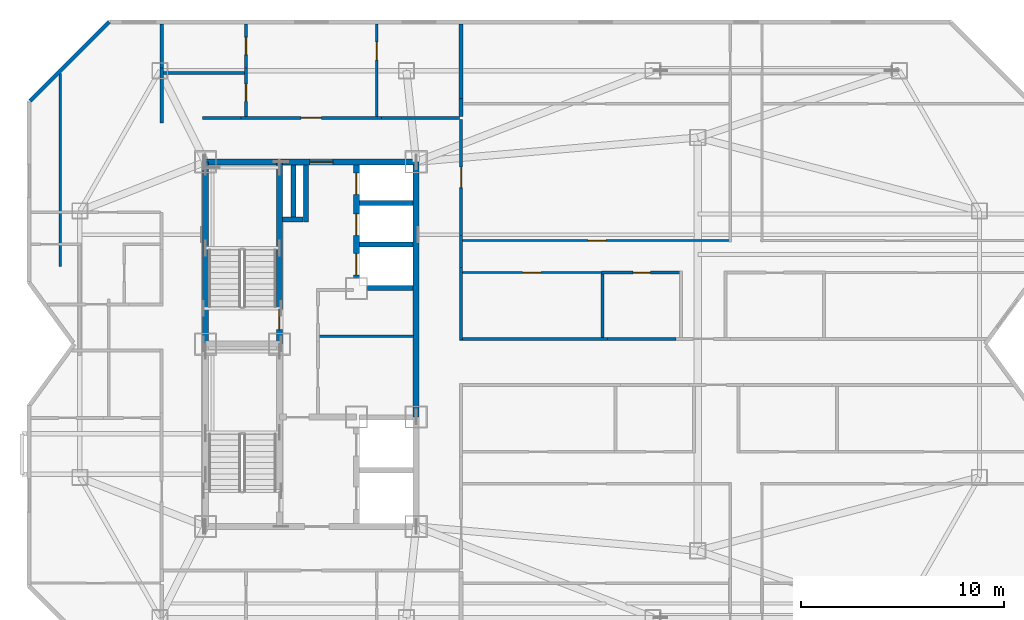
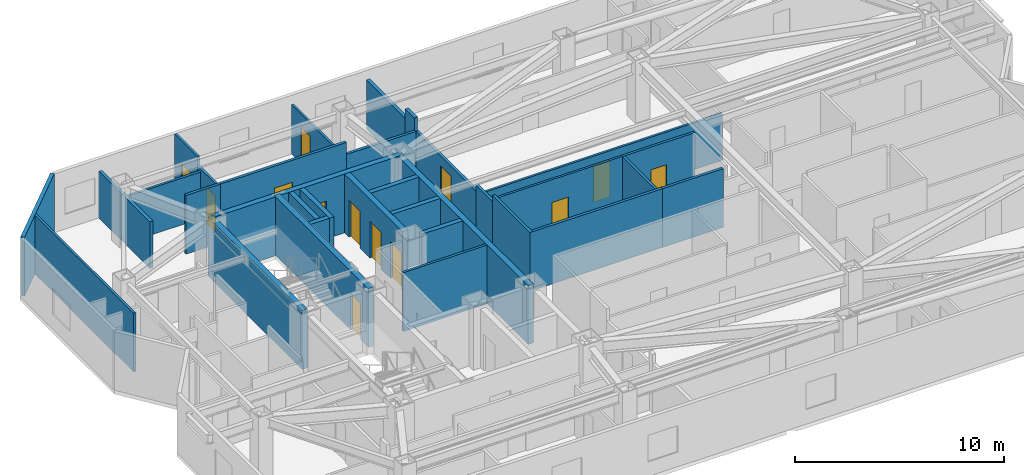
# One storey, part 6 of 9: 34 walls, 13 doors, 13 openings.
"""IFC4 building model written with IfcOpenShell, lengths in metres."""

from ifc_helpers import new_model, si_unit, direction, frame, frame_2d, origin, place, context, subcontext, project, spatial, rectangle, extrude, material, layer, layer_set, type_object, element, fill, save


model = new_model("IFC4")

# Units and contexts
model_context = context("Model", 3, precision=1e-05, world=origin(), true_north=direction((0.0, 1.0)))
body_context = subcontext(model_context, "Body", "Model", "MODEL_VIEW")
ifc_project = project(units=[si_unit("LENGTHUNIT", "METRE"), si_unit("AREAUNIT", "SQUARE_METRE"), si_unit("VOLUMEUNIT", "CUBIC_METRE"), si_unit("PLANEANGLEUNIT", "RADIAN"), si_unit("MASSUNIT", "GRAM", prefix="KILO")], contexts=[model_context])

# Site, building, storey
site_placement = place(None, origin())
site = spatial("IfcSite", under=ifc_project, at=site_placement, CompositionType="ELEMENT")
building_placement = place(site_placement, origin())
building = spatial("IfcBuilding", under=site, at=building_placement, Name="Khamvora Tower", CompositionType="ELEMENT")
storey_placement = place(building_placement, frame((0.0, 0.0, 224.5)))
storey = spatial("IfcBuildingStorey", under=building, at=storey_placement, Name="L57", CompositionType="ELEMENT", Elevation=224.5)

# Wall
ifc_material_1 = material(Name="Concrete C50/60", Category="concrete")
ifc_layer_1 = layer(ifc_material_1, 0.300048828125)
ifc_layer_set_1 = layer_set([ifc_layer_1], Name="Concrete C50/60")
wall_type_1 = type_object("IfcWallType", Name="WAL-CORE-300", PredefinedType="SHEAR", material=ifc_layer_set_1)
wall_1_placement = place(storey_placement, frame((29.0, 28.0, 0.0), z_axis=(0.0, 0.0, 1.0), x_axis=(0.0, 1.0, 0.0)))
element("IfcWall", 1, at=wall_1_placement, inside=storey, type_object=wall_type_1, Name="L57 central core west north wall", PredefinedType="SHEAR", context=body_context, shape_type="SweptSolid", body=[
    extrude(rectangle(XDim=9.0, YDim=0.300048828125, at=frame_2d((4.5, 0.0))), origin(), (0.0, 0.0, 1.0), 3.429931640625),
])

# Wall, opening, door
wall_2_placement = place(storey_placement, frame((29.0, 37.0, 0.0), z_axis=(0.0, 0.0, 1.0), x_axis=(1.0, 0.0, 0.0)))
wall_2 = element("IfcWall", 2, at=wall_2_placement, inside=storey, type_object=wall_type_1, Name="L57 central core north wall", PredefinedType="SHEAR", context=body_context, shape_type="SweptSolid", body=[
    extrude(rectangle(XDim=10.39990234375, YDim=0.300048828125, at=frame_2d((5.199951171875, 0.0))), origin(), (0.0, 0.0, 1.0), 3.429931640625),
])
opening_1_placement = place(wall_2_placement, frame((5.139892578125, 0.0, 0.0)))
opening_1 = element("IfcOpeningElement", 3, at=opening_1_placement, cuts=wall_2, Name="Opening D-SC1", PredefinedType="OPENING", context=body_context, shape_type="SweptSolid", body=[
    extrude(rectangle(XDim=1.14990234375, YDim=2.199951171875, at=frame_2d((0.574951171875, 1.10009765625))), frame((0.0, 0.159912109375, 0.0), z_axis=(0.0, -1.0, 0.0), x_axis=(1.0, 0.0, 0.0)), (0.0, 0.0, 1.0), 0.320068359375),
])
ifc_material_2 = material(Name="Powder-Coated Steel and Hardwood Leaf", Category="steel")
door_type_1 = type_object("IfcDoorType", Name="DOR-SCHL-1150", OperationType="NOTDEFINED", PredefinedType="DOOR", material=ifc_material_2)
door_1_placement = place(opening_1_placement, origin())
door_1 = element("IfcDoor", 4, at=door_1_placement, inside=storey, type_object=door_type_1, Name="L57 north core lobby to corridor fire door", OperationType="SINGLE_SWING_LEFT", OverallHeight=2.199951171875, OverallWidth=1.14990234375, PredefinedType="DOOR", context=body_context, shape_type="SweptSolid", body=[
    extrude(rectangle(XDim=1.14990234375, YDim=2.199951171875, at=frame_2d((0.574951171875, 1.10009765625))), frame((0.0, 0.02490234375, 0.0), z_axis=(0.0, -1.0, 0.0), x_axis=(1.0, 0.0, 0.0)), (0.0, 0.0, 1.0), 0.050048828125),
])
fill(opening_1, door_1)

# Wall
wall_3_placement = place(storey_placement, frame((39.39990234375, 24.39990234375, 0.0), z_axis=(0.0, 0.0, 1.0), x_axis=(0.0, 1.0, 0.0)))
element("IfcWall", 5, at=wall_3_placement, inside=storey, type_object=wall_type_1, Name="L57 central core east north wall", PredefinedType="SHEAR", context=body_context, shape_type="SweptSolid", body=[
    extrude(rectangle(XDim=12.60009765625, YDim=0.300048828125, at=frame_2d((6.300048828125, 0.0))), origin(), (0.0, 0.0, 1.0), 3.429931640625),
])

# Wall, opening, door
wall_4_placement = place(storey_placement, frame((32.64990234375, 28.0, 0.0), z_axis=(0.0, 0.0, 1.0), x_axis=(0.0, 1.0, 0.0)))
wall_4 = element("IfcWall", 6, at=wall_4_placement, inside=storey, type_object=wall_type_1, Name="L57 central core stair north spine wall", PredefinedType="SHEAR", context=body_context, shape_type="SweptSolid", body=[
    extrude(rectangle(XDim=9.0, YDim=0.300048828125, at=frame_2d((4.5, 0.0))), origin(), (0.0, 0.0, 1.0), 3.429931640625),
])
opening_2_placement = place(wall_4_placement, frame((0.719970703125, 0.0, 0.0)))
opening_2 = element("IfcOpeningElement", 7, at=opening_2_placement, cuts=wall_4, Name="Opening D-ST1", PredefinedType="OPENING", context=body_context, shape_type="SweptSolid", body=[
    extrude(rectangle(XDim=1.0, YDim=2.14990234375, at=frame_2d((0.5, 1.074951171875))), frame((0.0, 0.159912109375, 0.0), z_axis=(0.0, -1.0, 0.0), x_axis=(1.0, 0.0, 0.0)), (0.0, 0.0, 1.0), 0.320068359375),
])
door_type_2 = type_object("IfcDoorType", Name="DOR-STAIR-1000", OperationType="NOTDEFINED", PredefinedType="DOOR", material=ifc_material_2)
door_2_placement = place(opening_2_placement, origin())
door_2 = element("IfcDoor", 8, at=door_2_placement, inside=storey, type_object=door_type_2, Name="L57 exit stair ST-02 fire door", OperationType="SINGLE_SWING_RIGHT", OverallHeight=2.14990234375, OverallWidth=1.0, PredefinedType="DOOR", context=body_context, shape_type="SweptSolid", body=[
    extrude(rectangle(XDim=1.0, YDim=2.14990234375, at=frame_2d((0.5, 1.074951171875))), frame((0.0, 0.02490234375, 0.0), z_axis=(0.0, -1.0, 0.0), x_axis=(1.0, 0.0, 0.0)), (0.0, 0.0, 1.0), 0.050048828125),
])
fill(opening_2, door_2)

# Wall, openings, doors
wall_5_placement = place(storey_placement, frame((36.449951171875, 31.300048828125, 0.0), z_axis=(0.0, 0.0, 1.0), x_axis=(0.0, 1.0, 0.0)))
wall_5 = element("IfcWall", 9, at=wall_5_placement, inside=storey, type_object=wall_type_1, Name="L57 central core lift bank central wall", PredefinedType="SHEAR", context=body_context, shape_type="SweptSolid", body=[
    extrude(rectangle(XDim=5.5458984375, YDim=0.300048828125, at=frame_2d((2.77294921875, 0.0))), origin(), (0.0, 0.0, 1.0), 3.429931640625),
])
opening_3_placement = place(wall_5_placement, frame((0.1201171875, 0.0, 0.0)))
opening_3 = element("IfcOpeningElement", 10, at=opening_3_placement, cuts=wall_5, Name="Opening LD-PL", PredefinedType="OPENING", context=body_context, shape_type="SweptSolid", body=[
    extrude(rectangle(XDim=1.050048828125, YDim=2.14990234375, at=frame_2d((0.52490234375, 1.074951171875))), frame((0.0, 0.159912109375, 0.0), z_axis=(0.0, -1.0, 0.0), x_axis=(1.0, 0.0, 0.0)), (0.0, 0.0, 1.0), 0.320068359375),
])
opening_4_placement = place(wall_5_placement, frame((2.074951171875, 0.0, 0.0)))
opening_4 = element("IfcOpeningElement", 11, at=opening_4_placement, cuts=wall_5, Name="Opening LD-PL", PredefinedType="OPENING", context=body_context, shape_type="SweptSolid", body=[
    extrude(rectangle(XDim=1.050048828125, YDim=2.14990234375, at=frame_2d((0.52490234375, 1.074951171875))), frame((0.0, 0.159912109375, 0.0), z_axis=(0.0, -1.0, 0.0), x_axis=(1.0, 0.0, 0.0)), (0.0, 0.0, 1.0), 0.320068359375),
])
opening_5_placement = place(wall_5_placement, frame((4.094970703125, 0.0, 0.0)))
opening_5 = element("IfcOpeningElement", 12, at=opening_5_placement, cuts=wall_5, Name="Opening LD-PL", PredefinedType="OPENING", context=body_context, shape_type="SweptSolid", body=[
    extrude(rectangle(XDim=1.050048828125, YDim=2.14990234375, at=frame_2d((0.52490234375, 1.074951171875))), frame((0.0, 0.159912109375, 0.0), z_axis=(0.0, -1.0, 0.0), x_axis=(1.0, 0.0, 0.0)), (0.0, 0.0, 1.0), 0.320068359375),
])
door_type_3 = type_object("IfcDoorType", Name="DOR-LIFT-1050", OperationType="SLIDING_TO_LEFT", PredefinedType="DOOR", material=ifc_material_2)
door_3_placement = place(opening_3_placement, origin())
door_3 = element("IfcDoor", 13, at=door_3_placement, inside=storey, type_object=door_type_3, Name="L57 lift landing sliding door PH-01", OperationType="SLIDING_TO_LEFT", OverallHeight=2.14990234375, OverallWidth=1.050048828125, PredefinedType="DOOR", context=body_context, shape_type="SweptSolid", body=[
    extrude(rectangle(XDim=1.050048828125, YDim=2.14990234375, at=frame_2d((0.52490234375, 1.074951171875))), frame((0.0, 0.02490234375, 0.0), z_axis=(0.0, -1.0, 0.0), x_axis=(1.0, 0.0, 0.0)), (0.0, 0.0, 1.0), 0.050048828125),
])
fill(opening_3, door_3)
door_4_placement = place(opening_4_placement, origin())
door_4 = element("IfcDoor", 14, at=door_4_placement, inside=storey, type_object=door_type_3, Name="L57 lift landing sliding door PH-02", OperationType="SLIDING_TO_LEFT", OverallHeight=2.14990234375, OverallWidth=1.050048828125, PredefinedType="DOOR", context=body_context, shape_type="SweptSolid", body=[
    extrude(rectangle(XDim=1.050048828125, YDim=2.14990234375, at=frame_2d((0.52490234375, 1.074951171875))), frame((0.0, 0.02490234375, 0.0), z_axis=(0.0, -1.0, 0.0), x_axis=(1.0, 0.0, 0.0)), (0.0, 0.0, 1.0), 0.050048828125),
])
fill(opening_4, door_4)
door_5_placement = place(opening_5_placement, origin())
door_5 = element("IfcDoor", 15, at=door_5_placement, inside=storey, type_object=door_type_3, Name="L57 lift landing sliding door PH-03", OperationType="SLIDING_TO_LEFT", OverallHeight=2.14990234375, OverallWidth=1.050048828125, PredefinedType="DOOR", context=body_context, shape_type="SweptSolid", body=[
    extrude(rectangle(XDim=1.050048828125, YDim=2.14990234375, at=frame_2d((0.52490234375, 1.074951171875))), frame((0.0, 0.02490234375, 0.0), z_axis=(0.0, -1.0, 0.0), x_axis=(1.0, 0.0, 0.0)), (0.0, 0.0, 1.0), 0.050048828125),
])
fill(opening_5, door_5)

# Wall, opening, door
ifc_material_3 = material(Name="Fire-Rated Drywall and Steel Stud", Category="steel")
ifc_layer_2 = layer(ifc_material_3, 0.14990234375)
ifc_layer_set_2 = layer_set([ifc_layer_2], Name="Fire-Rated Drywall and Steel Stud")
wall_type_2 = type_object("IfcWallType", Name="WAL-CORR-150", PredefinedType="STANDARD", material=ifc_layer_set_2)
wall_6_placement = place(storey_placement, frame((30.7509765625, 39.1650390625, 0.0), z_axis=(0.0, 0.0, 1.0), x_axis=(1.0, 0.0, 0.0)))
wall_6 = element("IfcWall", 16, at=wall_6_placement, inside=storey, type_object=wall_type_2, Name="L57 interior partition wall 015", PredefinedType="STANDARD", context=body_context, shape_type="SweptSolid", body=[
    extrude(rectangle(XDim=6.947998046875, YDim=0.14990234375, at=frame_2d((3.47412109375, 0.0))), origin(), (0.0, 0.0, 1.0), 3.429931640625),
])
opening_6_placement = place(wall_6_placement, frame((2.97412109375, 0.0, 0.0)))
opening_6 = element("IfcOpeningElement", 17, at=opening_6_placement, cuts=wall_6, Name="Opening D-U1", PredefinedType="OPENING", context=body_context, shape_type="SweptSolid", body=[
    extrude(rectangle(XDim=1.0, YDim=2.14990234375, at=frame_2d((0.5, 1.074951171875))), frame((0.0, 0.0849609375, 0.0), z_axis=(0.0, -1.0, 0.0), x_axis=(1.0, 0.0, 0.0)), (0.0, 0.0, 1.0), 0.169921875),
])
door_type_4 = type_object("IfcDoorType", Name="DOR-UNIT-1000", OperationType="NOTDEFINED", PredefinedType="DOOR", material=ifc_material_2)
door_6_placement = place(opening_6_placement, origin())
door_6 = element("IfcDoor", 18, at=door_6_placement, inside=storey, type_object=door_type_4, Name="L57 interior door COR-57NAH", OperationType="SINGLE_SWING_RIGHT", OverallHeight=2.14990234375, OverallWidth=1.0, PredefinedType="DOOR", context=body_context, shape_type="SweptSolid", body=[
    extrude(rectangle(XDim=1.0, YDim=2.14990234375, at=frame_2d((0.5, 1.074951171875))), frame((0.0, 0.02490234375, 0.0), z_axis=(0.0, -1.0, 0.0), x_axis=(1.0, 0.0, 0.0)), (0.0, 0.0, 1.0), 0.050048828125),
])
fill(opening_6, door_6)

# Walls
wall_7_placement = place(storey_placement, frame((28.85009765625, 39.1650390625, 0.0), z_axis=(0.0, 0.0, 1.0), x_axis=(1.0, 0.0, 0.0)))
element("IfcWall", 19, at=wall_7_placement, inside=storey, type_object=wall_type_2, Name="L57 interior partition wall 016", PredefinedType="STANDARD", context=body_context, shape_type="SweptSolid", body=[
    extrude(rectangle(XDim=1.90087890625, YDim=0.14990234375, at=frame_2d((0.950439453125, 0.0))), origin(), (0.0, 0.0, 1.0), 3.429931640625),
])
wall_8_placement = place(storey_placement, frame((37.698974609375, 39.1650390625, 0.0), z_axis=(0.0, 0.0, 1.0), x_axis=(1.0, 0.0, 0.0)))
element("IfcWall", 20, at=wall_8_placement, inside=storey, type_object=wall_type_2, Name="L57 interior partition wall 017", PredefinedType="STANDARD", context=body_context, shape_type="SweptSolid", body=[
    extrude(rectangle(XDim=3.85107421875, YDim=0.14990234375, at=frame_2d((1.925537109375, 0.0))), origin(), (0.0, 0.0, 1.0), 2.72509765625),
])
wall_9_placement = place(storey_placement, frame((41.614990234375, 31.784912109375, 0.0), z_axis=(0.0, 0.0, 1.0), x_axis=(0.0, -1.0, 0.0)))
element("IfcWall", 21, at=wall_9_placement, inside=storey, type_object=wall_type_2, Name="L57 interior partition wall 026", PredefinedType="STANDARD", context=body_context, shape_type="SweptSolid", body=[
    extrude(rectangle(XDim=3.5849609375, YDim=0.14990234375, at=frame_2d((1.79248046875, 0.0))), origin(), (0.0, 0.0, 1.0), 3.429931640625),
])
wall_10_placement = place(storey_placement, frame((41.550048828125, 28.264892578125, 0.0), z_axis=(0.0, 0.0, 1.0), x_axis=(1.0, 0.0, 0.0)))
element("IfcWall", 22, at=wall_10_placement, inside=storey, type_object=wall_type_2, Name="L57 interior partition wall 027", PredefinedType="STANDARD", context=body_context, shape_type="SweptSolid", body=[
    extrude(rectangle(XDim=7.300048828125, YDim=0.14990234375, at=frame_2d((3.64990234375, 0.0))), origin(), (0.0, 0.0, 1.0), 3.429931640625),
])
wall_11_placement = place(storey_placement, frame((41.614990234375, 33.364990234375, 0.0), z_axis=(0.0, 0.0, 1.0), x_axis=(0.0, -1.0, 0.0)))
element("IfcWall", 23, at=wall_11_placement, inside=storey, type_object=wall_type_2, Name="L57 interior partition wall 029", PredefinedType="STANDARD", context=body_context, shape_type="SweptSolid", body=[
    extrude(rectangle(XDim=1.580078125, YDim=0.14990234375, at=frame_2d((0.7900390625, 0.0))), origin(), (0.0, 0.0, 1.0), 3.06494140625),
])
wall_12_placement = place(storey_placement, frame((48.85009765625, 28.264892578125, 0.0), z_axis=(0.0, 0.0, 1.0), x_axis=(1.0, 0.0, 0.0)))
element("IfcWall", 24, at=wall_12_placement, inside=storey, type_object=wall_type_2, Name="L57 interior partition wall 031", PredefinedType="STANDARD", context=body_context, shape_type="SweptSolid", body=[
    extrude(rectangle(XDim=3.366943359375, YDim=0.14990234375, at=frame_2d((1.68359375, 0.0))), origin(), (0.0, 0.0, 1.0), 3.429931640625),
])

# Wall, opening, door
wall_13_placement = place(storey_placement, frame((41.614990234375, 39.10009765625, 0.0), z_axis=(0.0, 0.0, 1.0), x_axis=(0.0, -1.0, 0.0)))
wall_13 = element("IfcWall", 25, at=wall_13_placement, inside=storey, type_object=wall_type_2, Name="L57 interior partition wall 033", PredefinedType="STANDARD", context=body_context, shape_type="SweptSolid", body=[
    extrude(rectangle(XDim=5.735107421875, YDim=0.14990234375, at=frame_2d((2.86767578125, 0.0))), origin(), (0.0, 0.0, 1.0), 2.72509765625),
])
opening_7_placement = place(wall_13_placement, frame((2.367919921875, 0.0, 0.0)))
opening_7 = element("IfcOpeningElement", 26, at=opening_7_placement, cuts=wall_13, Name="Opening D-U1", PredefinedType="OPENING", context=body_context, shape_type="SweptSolid", body=[
    extrude(rectangle(XDim=1.0, YDim=2.14990234375, at=frame_2d((0.5, 1.074951171875))), frame((0.0, 0.0849609375, 0.0), z_axis=(0.0, -1.0, 0.0), x_axis=(1.0, 0.0, 0.0)), (0.0, 0.0, 1.0), 0.169921875),
])
door_7_placement = place(opening_7_placement, origin())
door_7 = element("IfcDoor", 27, at=door_7_placement, inside=storey, type_object=door_type_4, Name="L57 interior door COR-57EBR1", OperationType="SINGLE_SWING_RIGHT", OverallHeight=2.14990234375, OverallWidth=1.0, PredefinedType="DOOR", context=body_context, shape_type="SweptSolid", body=[
    extrude(rectangle(XDim=1.0, YDim=2.14990234375, at=frame_2d((0.5, 1.074951171875))), frame((0.0, 0.02490234375, 0.0), z_axis=(0.0, -1.0, 0.0), x_axis=(1.0, 0.0, 0.0)), (0.0, 0.0, 1.0), 0.050048828125),
])
fill(opening_7, door_7)

# Walls
ifc_material_4 = material(Name="Acoustic Double-Stud Fire Wall", Category="gypsum")
ifc_layer_3 = layer(ifc_material_4, 0.179931640625)
ifc_layer_set_3 = layer_set([ifc_layer_3], Name="Acoustic Double-Stud Fire Wall")
wall_type_3 = type_object("IfcWallType", Name="WAL-CORR-180", PredefinedType="STANDARD", material=ifc_layer_set_3)
wall_14_placement = place(storey_placement, frame((26.8349609375, 41.62890625, 0.0), z_axis=(0.0, 0.0, 1.0), x_axis=(0.0, -1.0, 0.0)))
element("IfcWall", 28, at=wall_14_placement, inside=storey, type_object=wall_type_3, Name="L57 interior partition wall 047", PredefinedType="STANDARD", context=body_context, shape_type="SweptSolid", body=[
    extrude(rectangle(XDim=2.712890625, YDim=0.179931640625, at=frame_2d((1.3564453125, 0.0))), origin(), (0.0, 0.0, 1.0), 2.72509765625),
])
wall_15_placement = place(storey_placement, frame((26.8349609375, 43.80810546875, 0.0), z_axis=(0.0, 0.0, 1.0), x_axis=(0.0, -1.0, 0.0)))
element("IfcWall", 29, at=wall_15_placement, inside=storey, type_object=wall_type_3, Name="L57 interior partition wall 048", PredefinedType="STANDARD", context=body_context, shape_type="SweptSolid", body=[
    extrude(rectangle(XDim=2.17919921875, YDim=0.179931640625, at=frame_2d((1.089599609375, 0.0))), origin(), (0.0, 0.0, 1.0), 2.72509765625),
])
wall_16_placement = place(storey_placement, frame((41.614990234375, 40.113037109375, 0.0), z_axis=(0.0, 0.0, 1.0), x_axis=(0.0, -1.0, 0.0)))
element("IfcWall", 30, at=wall_16_placement, inside=storey, type_object=wall_type_3, Name="L57 interior partition wall 059", PredefinedType="STANDARD", context=body_context, shape_type="SweptSolid", body=[
    extrude(rectangle(XDim=0.883056640625, YDim=0.179931640625, at=frame_2d((0.44140625, 0.0))), origin(), (0.0, 0.0, 1.0), 3.429931640625),
])
wall_17_placement = place(storey_placement, frame((41.614990234375, 43.80810546875, 0.0), z_axis=(0.0, 0.0, 1.0), x_axis=(0.0, -1.0, 0.0)))
element("IfcWall", 31, at=wall_17_placement, inside=storey, type_object=wall_type_3, Name="L57 interior partition wall 060", PredefinedType="STANDARD", context=body_context, shape_type="SweptSolid", body=[
    extrude(rectangle(XDim=3.695068359375, YDim=0.179931640625, at=frame_2d((1.84765625, 0.0))), origin(), (0.0, 0.0, 1.0), 2.886962890625),
])
ifc_material_5 = material(Name="Precast concrete C40/50", Category="concrete")
ifc_layer_4 = layer(ifc_material_5, 0.199951171875)
ifc_layer_set_4 = layer_set([ifc_layer_4], Name="Precast concrete C40/50")
wall_type_4 = type_object("IfcWallType", Name="WAL-EXT-200", PredefinedType="STANDARD", material=ifc_layer_set_4)
wall_18_placement = place(storey_placement, frame((20.343994140625, 40.0029296875, 0.0), z_axis=(0.0, 0.0, 1.0), x_axis=(0.707106781187, 0.707106781187, 0.0)))
element("IfcWall", 32, at=wall_18_placement, inside=storey, type_object=wall_type_4, Name="L57 exterior facade wall 06.1", PredefinedType="STANDARD", context=body_context, shape_type="SweptSolid", body=[
    extrude(rectangle(XDim=5.51123046875, YDim=0.199951171875, at=frame_2d((2.755615234375, 0.0))), origin(), (0.0, 0.0, 1.0), 3.429931640625),
])
ifc_material_6 = material(Name="Gypsum Plasterboard Partition", Category="gypsum")
ifc_layer_5 = layer(ifc_material_6, 0.1201171875)
ifc_layer_set_5 = layer_set([ifc_layer_5], Name="Gypsum Plasterboard Partition")
wall_type_5 = type_object("IfcWallType", Name="WAL-PART-120", PredefinedType="PARTITIONING", material=ifc_layer_set_5)
wall_19_placement = place(storey_placement, frame((21.824951171875, 41.368896484375, 0.0), z_axis=(0.0, 0.0, 1.0), x_axis=(0.0, -1.0, 0.0)))
element("IfcWall", 33, at=wall_19_placement, inside=storey, type_object=wall_type_5, Name="L57 interior partition wall 045", PredefinedType="PARTITIONING", context=body_context, shape_type="SweptSolid", body=[
    extrude(rectangle(XDim=9.52392578125, YDim=0.1201171875, at=frame_2d((4.761962890625, 0.0))), origin(), (0.0, 0.0, 1.0), 3.429931640625),
])

# Wall, opening, door
wall_20_placement = place(storey_placement, frame((37.449951171875, 43.80810546875, 0.0), z_axis=(0.0, 0.0, 1.0), x_axis=(0.0, -1.0, 0.0)))
wall_20 = element("IfcWall", 34, at=wall_20_placement, inside=storey, type_object=wall_type_5, Name="L57 interior partition wall 057", PredefinedType="PARTITIONING", context=body_context, shape_type="SweptSolid", body=[
    extrude(rectangle(XDim=4.576171875, YDim=0.1201171875, at=frame_2d((2.2880859375, 0.0))), origin(), (0.0, 0.0, 1.0), 2.886962890625),
])
opening_8_placement = place(wall_20_placement, frame((0.884033203125, 0.0, 0.0)))
opening_8 = element("IfcOpeningElement", 35, at=opening_8_placement, cuts=wall_20, Name="Opening D-RM1", PredefinedType="OPENING", context=body_context, shape_type="SweptSolid", body=[
    extrude(rectangle(XDim=0.89990234375, YDim=2.10009765625, at=frame_2d((0.449951171875, 1.050048828125))), frame((0.0, 0.070068359375, 0.0), z_axis=(0.0, -1.0, 0.0), x_axis=(1.0, 0.0, 0.0)), (0.0, 0.0, 1.0), 0.14013671875),
])
door_type_5 = type_object("IfcDoorType", Name="DOR-ROOM-900", OperationType="NOTDEFINED", PredefinedType="DOOR", material=ifc_material_2)
door_8_placement = place(opening_8_placement, origin())
door_8 = element("IfcDoor", 36, at=door_8_placement, inside=storey, type_object=door_type_5, Name="L57 interior door 57NAH-57NAR1", OperationType="SINGLE_SWING_RIGHT", OverallHeight=2.10009765625, OverallWidth=0.89990234375, PredefinedType="DOOR", context=body_context, shape_type="SweptSolid", body=[
    extrude(rectangle(XDim=0.89990234375, YDim=2.10009765625, at=frame_2d((0.449951171875, 1.050048828125))), frame((0.0, 0.02490234375, 0.0), z_axis=(0.0, -1.0, 0.0), x_axis=(1.0, 0.0, 0.0)), (0.0, 0.0, 1.0), 0.050048828125),
])
fill(opening_8, door_8)

wall_21_placement = place(storey_placement, frame((41.681884765625, 31.535888671875, 0.0), z_axis=(0.0, 0.0, 1.0), x_axis=(1.0, 0.0, 0.0)))
wall_21 = element("IfcWall", 37, at=wall_21_placement, inside=storey, type_object=wall_type_5, Name="L57 interior partition wall 077", PredefinedType="PARTITIONING", context=body_context, shape_type="SweptSolid", body=[
    extrude(rectangle(XDim=6.85400390625, YDim=0.1201171875, at=frame_2d((3.427001953125, 0.0))), origin(), (0.0, 0.0, 1.0), 3.429931640625),
])
opening_9_placement = place(wall_21_placement, frame((2.97705078125, 0.0, 0.0)))
opening_9 = element("IfcOpeningElement", 38, at=opening_9_placement, cuts=wall_21, Name="Opening D-RM1", PredefinedType="OPENING", context=body_context, shape_type="SweptSolid", body=[
    extrude(rectangle(XDim=0.89990234375, YDim=2.10009765625, at=frame_2d((0.449951171875, 1.050048828125))), frame((0.0, 0.070068359375, 0.0), z_axis=(0.0, -1.0, 0.0), x_axis=(1.0, 0.0, 0.0)), (0.0, 0.0, 1.0), 0.14013671875),
])
door_9_placement = place(opening_9_placement, origin())
door_9 = element("IfcDoor", 39, at=door_9_placement, inside=storey, type_object=door_type_5, Name="L57 interior door 57EBW1-57EBH", OperationType="SINGLE_SWING_LEFT", OverallHeight=2.10009765625, OverallWidth=0.89990234375, PredefinedType="DOOR", context=body_context, shape_type="SweptSolid", body=[
    extrude(rectangle(XDim=0.89990234375, YDim=2.10009765625, at=frame_2d((0.449951171875, 1.050048828125))), frame((0.0, 0.02490234375, 0.0), z_axis=(0.0, -1.0, 0.0), x_axis=(1.0, 0.0, 0.0)), (0.0, 0.0, 1.0), 0.050048828125),
])
fill(opening_9, door_9)

wall_22_placement = place(storey_placement, frame((41.681884765625, 33.115966796875, 0.0), z_axis=(0.0, 0.0, 1.0), x_axis=(1.0, 0.0, 0.0)))
wall_22 = element("IfcWall", 40, at=wall_22_placement, inside=storey, type_object=wall_type_5, Name="L57 interior partition wall 085", PredefinedType="PARTITIONING", context=body_context, shape_type="SweptSolid", body=[
    extrude(rectangle(XDim=13.283203125, YDim=0.1201171875, at=frame_2d((6.6416015625, 0.0))), origin(), (0.0, 0.0, 1.0), 2.72509765625),
])
opening_10_placement = place(wall_22_placement, frame((6.19091796875, 0.0, 0.0)))
opening_10 = element("IfcOpeningElement", 41, at=opening_10_placement, cuts=wall_22, Name="Opening D-RM1", PredefinedType="OPENING", context=body_context, shape_type="SweptSolid", body=[
    extrude(rectangle(XDim=0.89990234375, YDim=2.10009765625, at=frame_2d((0.449951171875, 1.050048828125))), frame((0.0, 0.070068359375, 0.0), z_axis=(0.0, -1.0, 0.0), x_axis=(1.0, 0.0, 0.0)), (0.0, 0.0, 1.0), 0.14013671875),
])
door_10_placement = place(opening_10_placement, origin())
door_10 = element("IfcDoor", 42, at=door_10_placement, inside=storey, type_object=door_type_5, Name="L57 interior door 57EBH-57EBR1", OperationType="SINGLE_SWING_LEFT", OverallHeight=2.10009765625, OverallWidth=0.89990234375, PredefinedType="DOOR", context=body_context, shape_type="SweptSolid", body=[
    extrude(rectangle(XDim=0.89990234375, YDim=2.10009765625, at=frame_2d((0.449951171875, 1.050048828125))), frame((0.0, 0.02490234375, 0.0), z_axis=(0.0, -1.0, 0.0), x_axis=(1.0, 0.0, 0.0)), (0.0, 0.0, 1.0), 0.050048828125),
])
fill(opening_10, door_10)

# Walls
ifc_material_7 = material(Name="Concrete C40/50", Category="concrete")
ifc_layer_6 = layer(ifc_material_7, 0.25)
ifc_layer_set_6 = layer_set([ifc_layer_6], Name="Concrete C40/50")
wall_type_6 = type_object("IfcWallType", Name="WAL-PODS-250", PredefinedType="SHEAR", material=ifc_layer_set_6)
wall_23_placement = place(storey_placement, frame((37.00390625, 30.77490234375, 0.0), z_axis=(0.0, 0.0, 1.0), x_axis=(1.0, 0.0, 0.0)))
element("IfcWall", 43, at=wall_23_placement, inside=storey, type_object=wall_type_6, Name="L57 high-rise lift shaft south enclosure wall PH-01", PredefinedType="SHEAR", context=body_context, shape_type="SweptSolid", body=[
    extrude(rectangle(XDim=2.2421875, YDim=0.25, at=frame_2d((1.12109375, 0.0))), origin(), (0.0, 0.0, 1.0), 3.429931640625),
])
for number, where, z_axis, x_axis, name in (
    (44, (36.60400390625, 32.925048828125, 0.0), (0.0, 0.0, 1.0), (1.0, 0.0, 0.0), "L57 lift shaft divider wall PH-01"),
    (45, (36.60400390625, 34.97509765625, 0.0), (0.0, 0.0, 1.0), (1.0, 0.0, 0.0), "L57 lift shaft divider wall PH-02"),
):
    element("IfcWall", number, at=place(storey_placement, frame(where, z_axis=z_axis, x_axis=x_axis)), inside=storey, type_object=wall_type_6, Name=name, PredefinedType="SHEAR", context=body_context, shape_type="SweptSolid", body=[
        extrude(rectangle(XDim=2.64208984375, YDim=0.25, at=frame_2d((1.321044921875, 0.0))), origin(), (0.0, 0.0, 1.0), 3.429931640625),
    ])
wall_24_placement = place(storey_placement, frame((33.955078125, 34.02490234375, 0.0), z_axis=(0.0, 0.0, 1.0), x_axis=(0.0, 1.0, 0.0)))
element("IfcWall", 46, at=wall_24_placement, inside=storey, type_object=wall_type_6, Name="L57 vertical MEP riser shaft east enclosure wall", PredefinedType="SHEAR", context=body_context, shape_type="SweptSolid", body=[
    extrude(rectangle(XDim=2.821044921875, YDim=0.25, at=frame_2d((1.41064453125, 0.0))), origin(), (0.0, 0.0, 1.0), 3.429931640625),
])
wall_25_placement = place(storey_placement, frame((32.803955078125, 34.14990234375, 0.0), z_axis=(0.0, 0.0, 1.0), x_axis=(1.0, 0.0, 0.0)))
element("IfcWall", 47, at=wall_25_placement, inside=storey, type_object=wall_type_6, Name="L57 vertical MEP riser shaft south enclosure wall", PredefinedType="SHEAR", context=body_context, shape_type="SweptSolid", body=[
    extrude(rectangle(XDim=1.02197265625, YDim=0.25, at=frame_2d((0.510986328125, 0.0))), origin(), (0.0, 0.0, 1.0), 3.429931640625),
])
wall_26_placement = place(storey_placement, frame((33.340087890625, 34.279052734375, 0.0), z_axis=(0.0, 0.0, 1.0), x_axis=(0.0, 1.0, 0.0)))
element("IfcWall", 48, at=wall_26_placement, inside=storey, type_object=wall_type_6, Name="L57 vertical MEP riser shaft divider enclosure wall", PredefinedType="SHEAR", context=body_context, shape_type="SweptSolid", body=[
    extrude(rectangle(XDim=2.56689453125, YDim=0.25, at=frame_2d((1.283447265625, 0.0))), origin(), (0.0, 0.0, 1.0), 3.429931640625),
])
ifc_material_8 = material(Name="Moisture-Resistant Plasterboard Partition", Category="gypsum")
ifc_layer_7 = layer(ifc_material_8, 0.135009765625)
ifc_layer_set_7 = layer_set([ifc_layer_7], Name="Moisture-Resistant Plasterboard Partition")
wall_type_7 = type_object("IfcWallType", Name="WAL-WET-135", PredefinedType="PARTITIONING", material=ifc_layer_set_7)
wall_27_placement = place(storey_placement, frame((39.256103515625, 28.385009765625, 0.0), z_axis=(0.0, 0.0, 1.0), x_axis=(-1.0, 0.0, 0.0)))
element("IfcWall", 49, at=wall_27_placement, inside=storey, type_object=wall_type_7, Name="L57 interior partition wall 004", PredefinedType="PARTITIONING", context=body_context, shape_type="SweptSolid", body=[
    extrude(rectangle(XDim=4.64404296875, YDim=0.135009765625, at=frame_2d((2.322021484375, 0.0))), origin(), (0.0, 0.0, 1.0), 3.429931640625),
])

# Wall, opening, door
wall_28_placement = place(storey_placement, frame((31.0, 39.23193359375, 0.0), z_axis=(0.0, 0.0, 1.0), x_axis=(0.0, 1.0, 0.0)))
wall_28 = element("IfcWall", 50, at=wall_28_placement, inside=storey, type_object=wall_type_7, Name="L57 interior partition wall 055", PredefinedType="PARTITIONING", context=body_context, shape_type="SweptSolid", body=[
    extrude(rectangle(XDim=2.39697265625, YDim=0.135009765625, at=frame_2d((1.198486328125, 0.0))), origin(), (0.0, 0.0, 1.0), 2.886962890625),
])
opening_11_placement = place(wall_28_placement, frame((0.751953125, 0.0, 0.0)))
opening_11 = element("IfcOpeningElement", 51, at=opening_11_placement, cuts=wall_28, Name="Opening D-WC1", PredefinedType="OPENING", context=body_context, shape_type="SweptSolid", body=[
    extrude(rectangle(XDim=0.85009765625, YDim=2.10009765625, at=frame_2d((0.425048828125, 1.050048828125))), frame((0.0, 0.077392578125, 0.0), z_axis=(0.0, -1.0, 0.0), x_axis=(1.0, 0.0, 0.0)), (0.0, 0.0, 1.0), 0.155029296875),
])
door_type_6 = type_object("IfcDoorType", Name="DOR-WET-850", OperationType="NOTDEFINED", PredefinedType="DOOR", material=ifc_material_2)
door_11_placement = place(opening_11_placement, origin())
door_11 = element("IfcDoor", 52, at=door_11_placement, inside=storey, type_object=door_type_6, Name="L57 interior door 57NAH-57NAB", OperationType="SINGLE_SWING_LEFT", OverallHeight=2.10009765625, OverallWidth=0.85009765625, PredefinedType="DOOR", context=body_context, shape_type="SweptSolid", body=[
    extrude(rectangle(XDim=0.85009765625, YDim=2.10009765625, at=frame_2d((0.425048828125, 1.050048828125))), frame((0.0, 0.02490234375, 0.0), z_axis=(0.0, -1.0, 0.0), x_axis=(1.0, 0.0, 0.0)), (0.0, 0.0, 1.0), 0.050048828125),
])
fill(opening_11, door_11)

wall_29_placement = place(storey_placement, frame((31.0, 41.62890625, 0.0), z_axis=(0.0, 0.0, 1.0), x_axis=(0.0, 1.0, 0.0)))
wall_29 = element("IfcWall", 53, at=wall_29_placement, inside=storey, type_object=wall_type_7, Name="L57 interior partition wall 056", PredefinedType="PARTITIONING", context=body_context, shape_type="SweptSolid", body=[
    extrude(rectangle(XDim=2.17919921875, YDim=0.135009765625, at=frame_2d((1.089599609375, 0.0))), origin(), (0.0, 0.0, 1.0), 3.429931640625),
])
opening_12_placement = place(wall_29_placement, frame((0.6640625, 0.0, 0.0)))
opening_12 = element("IfcOpeningElement", 54, at=opening_12_placement, cuts=wall_29, Name="Opening D-RM2", PredefinedType="OPENING", context=body_context, shape_type="SweptSolid", body=[
    extrude(rectangle(XDim=0.85009765625, YDim=2.10009765625, at=frame_2d((0.425048828125, 1.050048828125))), frame((0.0, 0.077392578125, 0.0), z_axis=(0.0, -1.0, 0.0), x_axis=(1.0, 0.0, 0.0)), (0.0, 0.0, 1.0), 0.155029296875),
])
door_type_7 = type_object("IfcDoorType", Name="DOR-ROOM-850", OperationType="NOTDEFINED", PredefinedType="DOOR", material=ifc_material_2)
door_12_placement = place(opening_12_placement, origin())
door_12 = element("IfcDoor", 55, at=door_12_placement, inside=storey, type_object=door_type_7, Name="L57 interior door 57NAH-57NAK", OperationType="SINGLE_SWING_RIGHT", OverallHeight=2.10009765625, OverallWidth=0.85009765625, PredefinedType="DOOR", context=body_context, shape_type="SweptSolid", body=[
    extrude(rectangle(XDim=0.85009765625, YDim=2.10009765625, at=frame_2d((0.425048828125, 1.050048828125))), frame((0.0, 0.02490234375, 0.0), z_axis=(0.0, -1.0, 0.0), x_axis=(1.0, 0.0, 0.0)), (0.0, 0.0, 1.0), 0.050048828125),
])
fill(opening_12, door_12)

# Walls
wall_30_placement = place(storey_placement, frame((26.9169921875, 41.3798828125, 0.0), z_axis=(0.0, 0.0, 1.0), x_axis=(1.0, 0.0, 0.0)))
element("IfcWall", 56, at=wall_30_placement, inside=storey, type_object=wall_type_7, Name="L57 interior partition wall 058", PredefinedType="PARTITIONING", context=body_context, shape_type="SweptSolid", body=[
    extrude(rectangle(XDim=4.02197265625, YDim=0.135009765625, at=frame_2d((2.010986328125, 0.0))), origin(), (0.0, 0.0, 1.0), 2.72509765625),
])
wall_31_placement = place(storey_placement, frame((48.60107421875, 31.470947265625, 0.0), z_axis=(0.0, 0.0, 1.0), x_axis=(0.0, -1.0, 0.0)))
element("IfcWall", 57, at=wall_31_placement, inside=storey, type_object=wall_type_7, Name="L57 interior partition wall 078", PredefinedType="PARTITIONING", context=body_context, shape_type="SweptSolid", body=[
    extrude(rectangle(XDim=3.138916015625, YDim=0.135009765625, at=frame_2d((1.5693359375, 0.0))), origin(), (0.0, 0.0, 1.0), 3.429931640625),
])

# Wall, opening, door
wall_32_placement = place(storey_placement, frame((52.531005859375, 31.535888671875, 0.0), z_axis=(0.0, 0.0, 1.0), x_axis=(-1.0, 0.0, 0.0)))
wall_32 = element("IfcWall", 58, at=wall_32_placement, inside=storey, type_object=wall_type_7, Name="L57 interior partition wall 082", PredefinedType="PARTITIONING", context=body_context, shape_type="SweptSolid", body=[
    extrude(rectangle(XDim=3.9951171875, YDim=0.135009765625, at=frame_2d((1.99755859375, 0.0))), origin(), (0.0, 0.0, 1.0), 3.429931640625),
])
opening_13_placement = place(wall_32_placement, frame((1.572998046875, 0.0, 0.0)))
opening_13 = element("IfcOpeningElement", 59, at=opening_13_placement, cuts=wall_32, Name="Opening D-WC1", PredefinedType="OPENING", context=body_context, shape_type="SweptSolid", body=[
    extrude(rectangle(XDim=0.85009765625, YDim=2.10009765625, at=frame_2d((0.425048828125, 1.050048828125))), frame((0.0, 0.077392578125, 0.0), z_axis=(0.0, -1.0, 0.0), x_axis=(1.0, 0.0, 0.0)), (0.0, 0.0, 1.0), 0.155029296875),
])
door_13_placement = place(opening_13_placement, origin())
door_13 = element("IfcDoor", 60, at=door_13_placement, inside=storey, type_object=door_type_6, Name="L57 interior door 57EBH-57EBB", OperationType="SINGLE_SWING_LEFT", OverallHeight=2.10009765625, OverallWidth=0.85009765625, PredefinedType="DOOR", context=body_context, shape_type="SweptSolid", body=[
    extrude(rectangle(XDim=0.85009765625, YDim=2.10009765625, at=frame_2d((0.425048828125, 1.050048828125))), frame((0.0, 0.02490234375, 0.0), z_axis=(0.0, -1.0, 0.0), x_axis=(1.0, 0.0, 0.0)), (0.0, 0.0, 1.0), 0.050048828125),
])
fill(opening_13, door_13)

save(model, "model.ifc")
